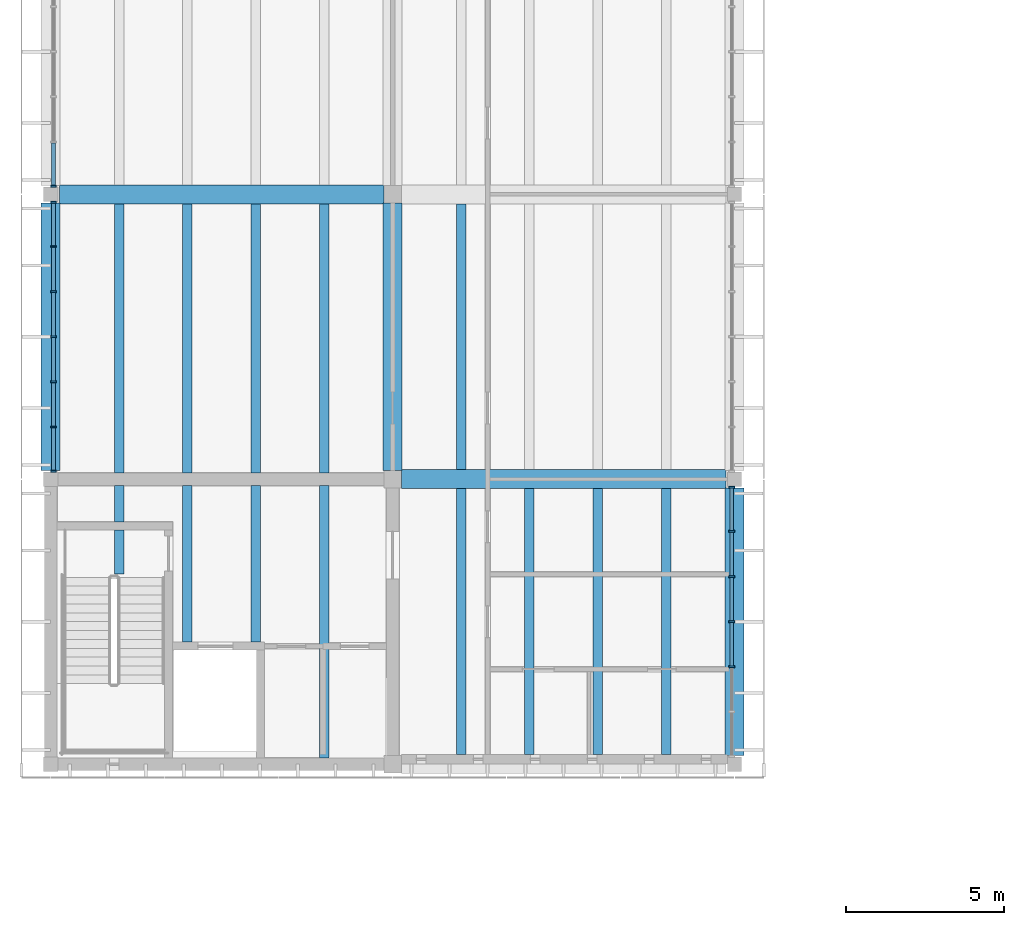
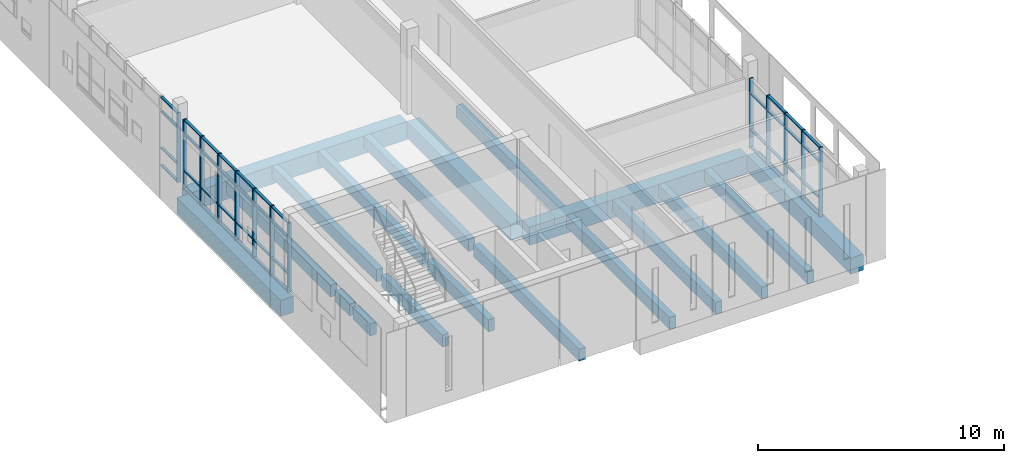
# One storey, part 9 of 50: 56 members, 19 beams, 3 elements without a shape of their own.
"""IFC4 building model written with IfcOpenShell, lengths in metres."""

from ifc_helpers import new_model, si_unit, direction, frame, origin, origin_2d, place, context, subcontext, project, spatial, rectangle, extrude, material, material_profile, profile_set, type_object, element, aggregate, save


model = new_model("IFC4")

# Units and contexts
model_context = context("Model", 3, precision=1e-05, world=origin(), true_north=direction((0.0, 1.0)))
body_context = subcontext(model_context, "Body", "Model", "MODEL_VIEW")
ifc_project = project(units=[si_unit("LENGTHUNIT", "METRE"), si_unit("AREAUNIT", "SQUARE_METRE"), si_unit("VOLUMEUNIT", "CUBIC_METRE"), si_unit("PLANEANGLEUNIT", "RADIAN"), si_unit("MASSUNIT", "GRAM", prefix="KILO")], contexts=[model_context])

# Site, building, storey
site_placement = place(None, origin())
site = spatial("IfcSite", under=ifc_project, at=site_placement, CompositionType="ELEMENT")
building_placement = place(site_placement, origin())
building = spatial("IfcBuilding", under=site, at=building_placement, Name="Merrow Basin Faculty of Sciences", CompositionType="ELEMENT")
storey_placement = place(building_placement, frame((0.0, 0.0, 18.0)))
storey = spatial("IfcBuildingStorey", under=building, at=storey_placement, Name="L04", CompositionType="ELEMENT", Elevation=18.0)

# Curtain wall, members
ifc_material_1 = material(Name="Aluminium alloy 6063", Category="aluminium")
curtain_wall_type = type_object("IfcCurtainWallType", Name="Bar unitised curtain wall 180", PredefinedType="NOTDEFINED", material=ifc_material_1)
curtain_wall_1_placement = place(storey_placement, origin())
curtain_wall_1 = element("IfcCurtainWall", 1, at=curtain_wall_1_placement, inside=storey, type_object=curtain_wall_type, Name="West curtain wall L04 1", PredefinedType="NOTDEFINED")
ifc_material_2 = material(Name="Aluminium alloy 6063", Category="aluminium")
ifc_material_profile_1 = material_profile(ifc_material_2, rectangle(XDim=0.179931640625, YDim=0.06005859375, at=origin_2d()))
ifc_profile_set_1 = profile_set([ifc_material_profile_1], Name="Aluminium alloy 6063")
member_type_1 = type_object("IfcMemberType", Name="Aluminium mullion 60x180", PredefinedType="MULLION", material=ifc_profile_set_1)
member_1_placement = place(storey_placement, frame((0.090087890625, 70.2548828125, 0.0), z_axis=(0.0, 0.0, 1.0), x_axis=(-1.0, 0.0, 0.0)))
member_1 = element("IfcMember", 2, at=member_1_placement, type_object=member_type_1, Name="CW1 mullion 1", PredefinedType="MULLION", context=body_context, shape_type="SweptSolid", body=[
    extrude(rectangle(XDim=0.179931640625, YDim=0.06005859375, at=origin_2d()), origin(), (0.0, 0.0, 1.0), 3.449951171875),
])
member_2_placement = place(storey_placement, frame((0.090087890625, 71.64990234375, 0.0), z_axis=(0.0, 0.0, 1.0), x_axis=(-1.0, 0.0, 0.0)))
member_2 = element("IfcMember", 3, at=member_2_placement, type_object=member_type_1, Name="CW1 mullion 2", PredefinedType="MULLION", context=body_context, shape_type="SweptSolid", body=[
    extrude(rectangle(XDim=0.179931640625, YDim=0.06005859375, at=origin_2d()), origin(), (0.0, 0.0, 1.0), 3.449951171875),
])
member_3_placement = place(storey_placement, frame((0.090087890625, 73.074951171875, 0.0), z_axis=(0.0, 0.0, 1.0), x_axis=(-1.0, 0.0, 0.0)))
member_3 = element("IfcMember", 4, at=member_3_placement, type_object=member_type_1, Name="CW1 mullion 3", PredefinedType="MULLION", context=body_context, shape_type="SweptSolid", body=[
    extrude(rectangle(XDim=0.179931640625, YDim=0.06005859375, at=origin_2d()), origin(), (0.0, 0.0, 1.0), 3.449951171875),
])
member_4_placement = place(storey_placement, frame((0.090087890625, 74.5, 0.0), z_axis=(0.0, 0.0, 1.0), x_axis=(-1.0, 0.0, 0.0)))
member_4 = element("IfcMember", 5, at=member_4_placement, type_object=member_type_1, Name="CW1 mullion 4", PredefinedType="MULLION", context=body_context, shape_type="SweptSolid", body=[
    extrude(rectangle(XDim=0.179931640625, YDim=0.06005859375, at=origin_2d()), origin(), (0.0, 0.0, 1.0), 3.449951171875),
])
member_5_placement = place(storey_placement, frame((0.090087890625, 75.925048828125, 0.0), z_axis=(0.0, 0.0, 1.0), x_axis=(-1.0, 0.0, 0.0)))
member_5 = element("IfcMember", 6, at=member_5_placement, type_object=member_type_1, Name="CW1 mullion 5", PredefinedType="MULLION", context=body_context, shape_type="SweptSolid", body=[
    extrude(rectangle(XDim=0.179931640625, YDim=0.06005859375, at=origin_2d()), origin(), (0.0, 0.0, 1.0), 3.449951171875),
])
member_6_placement = place(storey_placement, frame((0.090087890625, 77.35009765625, 0.0), z_axis=(0.0, 0.0, 1.0), x_axis=(-1.0, 0.0, 0.0)))
member_6 = element("IfcMember", 7, at=member_6_placement, type_object=member_type_1, Name="CW1 mullion 6", PredefinedType="MULLION", context=body_context, shape_type="SweptSolid", body=[
    extrude(rectangle(XDim=0.179931640625, YDim=0.06005859375, at=origin_2d()), origin(), (0.0, 0.0, 1.0), 3.449951171875),
])
member_7_placement = place(storey_placement, frame((0.090087890625, 78.7451171875, 0.0), z_axis=(0.0, 0.0, 1.0), x_axis=(-1.0, 0.0, 0.0)))
member_7 = element("IfcMember", 8, at=member_7_placement, type_object=member_type_1, Name="CW1 mullion 7", PredefinedType="MULLION", context=body_context, shape_type="SweptSolid", body=[
    extrude(rectangle(XDim=0.179931640625, YDim=0.06005859375, at=origin_2d()), origin(), (0.0, 0.0, 1.0), 3.449951171875),
])

# Curtain wall, member
curtain_wall_2_placement = place(storey_placement, origin())
curtain_wall_2 = element("IfcCurtainWall", 9, at=curtain_wall_2_placement, inside=storey, type_object=curtain_wall_type, Name="West curtain wall L04 2", PredefinedType="NOTDEFINED")
member_8_placement = place(storey_placement, frame((0.090087890625, 79.2548828125, 0.0), z_axis=(0.0, 0.0, 1.0), x_axis=(-1.0, 0.0, 0.0)))
member_8 = element("IfcMember", 10, at=member_8_placement, type_object=member_type_1, Name="CW1 mullion 1", PredefinedType="MULLION", context=body_context, shape_type="SweptSolid", body=[
    extrude(rectangle(XDim=0.179931640625, YDim=0.06005859375, at=origin_2d()), origin(), (0.0, 0.0, 1.0), 3.449951171875),
])

# Curtain wall, members
curtain_wall_3_placement = place(storey_placement, origin())
curtain_wall_3 = element("IfcCurtainWall", 11, at=curtain_wall_3_placement, inside=storey, type_object=curtain_wall_type, Name="East curtain wall L04 1", PredefinedType="NOTDEFINED")
member_9_placement = place(storey_placement, frame((21.510009765625, 64.074951171875, 0.0), z_axis=(0.0, 0.0, 1.0), x_axis=(-1.0, 0.0, 0.0)))
member_9 = element("IfcMember", 12, at=member_9_placement, type_object=member_type_1, Name="CW1 mullion 3", PredefinedType="MULLION", context=body_context, shape_type="SweptSolid", body=[
    extrude(rectangle(XDim=0.179931640625, YDim=0.06005859375, at=origin_2d()), origin(), (0.0, 0.0, 1.0), 3.449951171875),
])
member_10_placement = place(storey_placement, frame((21.510009765625, 65.5, 0.0), z_axis=(0.0, 0.0, 1.0), x_axis=(-1.0, 0.0, 0.0)))
member_10 = element("IfcMember", 13, at=member_10_placement, type_object=member_type_1, Name="CW1 mullion 4", PredefinedType="MULLION", context=body_context, shape_type="SweptSolid", body=[
    extrude(rectangle(XDim=0.179931640625, YDim=0.06005859375, at=origin_2d()), origin(), (0.0, 0.0, 1.0), 3.449951171875),
])
member_11_placement = place(storey_placement, frame((21.510009765625, 66.925048828125, 0.0), z_axis=(0.0, 0.0, 1.0), x_axis=(-1.0, 0.0, 0.0)))
member_11 = element("IfcMember", 14, at=member_11_placement, type_object=member_type_1, Name="CW1 mullion 5", PredefinedType="MULLION", context=body_context, shape_type="SweptSolid", body=[
    extrude(rectangle(XDim=0.179931640625, YDim=0.06005859375, at=origin_2d()), origin(), (0.0, 0.0, 1.0), 3.449951171875),
])
member_12_placement = place(storey_placement, frame((21.510009765625, 68.35009765625, 0.0), z_axis=(0.0, 0.0, 1.0), x_axis=(-1.0, 0.0, 0.0)))
member_12 = element("IfcMember", 15, at=member_12_placement, type_object=member_type_1, Name="CW1 mullion 6", PredefinedType="MULLION", context=body_context, shape_type="SweptSolid", body=[
    extrude(rectangle(XDim=0.179931640625, YDim=0.06005859375, at=origin_2d()), origin(), (0.0, 0.0, 1.0), 3.449951171875),
])
member_13_placement = place(storey_placement, frame((21.510009765625, 69.7451171875, 0.0), z_axis=(0.0, 0.0, 1.0), x_axis=(-1.0, 0.0, 0.0)))
member_13 = element("IfcMember", 16, at=member_13_placement, type_object=member_type_1, Name="CW1 mullion 7", PredefinedType="MULLION", context=body_context, shape_type="SweptSolid", body=[
    extrude(rectangle(XDim=0.179931640625, YDim=0.06005859375, at=origin_2d()), origin(), (0.0, 0.0, 1.0), 3.449951171875),
])

# Member
ifc_material_3 = material(Name="Aluminium alloy 6063", Category="aluminium")
ifc_material_profile_2 = material_profile(ifc_material_3, rectangle(XDim=0.1201171875, YDim=0.06005859375, at=origin_2d()))
ifc_profile_set_2 = profile_set([ifc_material_profile_2], Name="Aluminium alloy 6063")
member_type_2 = type_object("IfcMemberType", Name="Aluminium transom 60x120", PredefinedType="USERDEFINED", material=ifc_profile_set_2)
member_14_placement = place(storey_placement, frame((0.090087890625, 70.284912109375, 0.030029296875), z_axis=(0.0, 1.0, 0.0), x_axis=(-1.0, 0.0, 0.0)))
member_14 = element("IfcMember", 17, at=member_14_placement, type_object=member_type_2, Name="CW1 transom 1.1", ObjectType="TRANSOM", PredefinedType="USERDEFINED", context=body_context, shape_type="SweptSolid", body=[
    extrude(rectangle(XDim=0.1201171875, YDim=0.06005859375, at=origin_2d()), origin(), (0.0, 0.0, 1.0), 1.335205078125),
])

member_15_placement = place(storey_placement, frame((0.090087890625, 70.284912109375, 0.89990234375), z_axis=(0.0, 1.0, 0.0), x_axis=(-1.0, 0.0, 0.0)))
member_15 = element("IfcMember", 18, at=member_15_placement, type_object=member_type_2, Name="CW1 transom 1.2", ObjectType="TRANSOM", PredefinedType="USERDEFINED", context=body_context, shape_type="SweptSolid", body=[
    extrude(rectangle(XDim=0.1201171875, YDim=0.06005859375, at=origin_2d()), origin(), (0.0, 0.0, 1.0), 1.335205078125),
])

member_16_placement = place(storey_placement, frame((0.090087890625, 70.284912109375, 2.699951171875), z_axis=(0.0, 1.0, 0.0), x_axis=(-1.0, 0.0, 0.0)))
member_16 = element("IfcMember", 19, at=member_16_placement, type_object=member_type_2, Name="CW1 transom 1.3", ObjectType="TRANSOM", PredefinedType="USERDEFINED", context=body_context, shape_type="SweptSolid", body=[
    extrude(rectangle(XDim=0.1201171875, YDim=0.06005859375, at=origin_2d()), origin(), (0.0, 0.0, 1.0), 1.335205078125),
])

member_17_placement = place(storey_placement, frame((0.090087890625, 70.284912109375, 3.419921875), z_axis=(0.0, 1.0, 0.0), x_axis=(-1.0, 0.0, 0.0)))
member_17 = element("IfcMember", 20, at=member_17_placement, type_object=member_type_2, Name="CW1 transom 1.4", ObjectType="TRANSOM", PredefinedType="USERDEFINED", context=body_context, shape_type="SweptSolid", body=[
    extrude(rectangle(XDim=0.1201171875, YDim=0.06005859375, at=origin_2d()), origin(), (0.0, 0.0, 1.0), 1.335205078125),
])

member_18_placement = place(storey_placement, frame((0.090087890625, 71.679931640625, 0.030029296875), z_axis=(0.0, 1.0, 0.0), x_axis=(-1.0, 0.0, 0.0)))
member_18 = element("IfcMember", 21, at=member_18_placement, type_object=member_type_2, Name="CW1 transom 2.1", ObjectType="TRANSOM", PredefinedType="USERDEFINED", context=body_context, shape_type="SweptSolid", body=[
    extrude(rectangle(XDim=0.1201171875, YDim=0.06005859375, at=origin_2d()), origin(), (0.0, 0.0, 1.0), 1.364990234375),
])

member_19_placement = place(storey_placement, frame((0.090087890625, 71.679931640625, 0.89990234375), z_axis=(0.0, 1.0, 0.0), x_axis=(-1.0, 0.0, 0.0)))
member_19 = element("IfcMember", 22, at=member_19_placement, type_object=member_type_2, Name="CW1 transom 2.2", ObjectType="TRANSOM", PredefinedType="USERDEFINED", context=body_context, shape_type="SweptSolid", body=[
    extrude(rectangle(XDim=0.1201171875, YDim=0.06005859375, at=origin_2d()), origin(), (0.0, 0.0, 1.0), 1.364990234375),
])

member_20_placement = place(storey_placement, frame((0.090087890625, 71.679931640625, 2.699951171875), z_axis=(0.0, 1.0, 0.0), x_axis=(-1.0, 0.0, 0.0)))
member_20 = element("IfcMember", 23, at=member_20_placement, type_object=member_type_2, Name="CW1 transom 2.3", ObjectType="TRANSOM", PredefinedType="USERDEFINED", context=body_context, shape_type="SweptSolid", body=[
    extrude(rectangle(XDim=0.1201171875, YDim=0.06005859375, at=origin_2d()), origin(), (0.0, 0.0, 1.0), 1.364990234375),
])

member_21_placement = place(storey_placement, frame((0.090087890625, 71.679931640625, 3.419921875), z_axis=(0.0, 1.0, 0.0), x_axis=(-1.0, 0.0, 0.0)))
member_21 = element("IfcMember", 24, at=member_21_placement, type_object=member_type_2, Name="CW1 transom 2.4", ObjectType="TRANSOM", PredefinedType="USERDEFINED", context=body_context, shape_type="SweptSolid", body=[
    extrude(rectangle(XDim=0.1201171875, YDim=0.06005859375, at=origin_2d()), origin(), (0.0, 0.0, 1.0), 1.364990234375),
])

member_22_placement = place(storey_placement, frame((0.090087890625, 73.10498046875, 0.030029296875), z_axis=(0.0, 1.0, 0.0), x_axis=(-1.0, 0.0, 0.0)))
member_22 = element("IfcMember", 25, at=member_22_placement, type_object=member_type_2, Name="CW1 transom 3.1", ObjectType="TRANSOM", PredefinedType="USERDEFINED", context=body_context, shape_type="SweptSolid", body=[
    extrude(rectangle(XDim=0.1201171875, YDim=0.06005859375, at=origin_2d()), origin(), (0.0, 0.0, 1.0), 1.364990234375),
])

member_23_placement = place(storey_placement, frame((0.090087890625, 73.10498046875, 0.89990234375), z_axis=(0.0, 1.0, 0.0), x_axis=(-1.0, 0.0, 0.0)))
member_23 = element("IfcMember", 26, at=member_23_placement, type_object=member_type_2, Name="CW1 transom 3.2", ObjectType="TRANSOM", PredefinedType="USERDEFINED", context=body_context, shape_type="SweptSolid", body=[
    extrude(rectangle(XDim=0.1201171875, YDim=0.06005859375, at=origin_2d()), origin(), (0.0, 0.0, 1.0), 1.364990234375),
])

member_24_placement = place(storey_placement, frame((0.090087890625, 73.10498046875, 2.699951171875), z_axis=(0.0, 1.0, 0.0), x_axis=(-1.0, 0.0, 0.0)))
member_24 = element("IfcMember", 27, at=member_24_placement, type_object=member_type_2, Name="CW1 transom 3.3", ObjectType="TRANSOM", PredefinedType="USERDEFINED", context=body_context, shape_type="SweptSolid", body=[
    extrude(rectangle(XDim=0.1201171875, YDim=0.06005859375, at=origin_2d()), origin(), (0.0, 0.0, 1.0), 1.364990234375),
])

member_25_placement = place(storey_placement, frame((0.090087890625, 73.10498046875, 3.419921875), z_axis=(0.0, 1.0, 0.0), x_axis=(-1.0, 0.0, 0.0)))
member_25 = element("IfcMember", 28, at=member_25_placement, type_object=member_type_2, Name="CW1 transom 3.4", ObjectType="TRANSOM", PredefinedType="USERDEFINED", context=body_context, shape_type="SweptSolid", body=[
    extrude(rectangle(XDim=0.1201171875, YDim=0.06005859375, at=origin_2d()), origin(), (0.0, 0.0, 1.0), 1.364990234375),
])

member_26_placement = place(storey_placement, frame((0.090087890625, 74.530029296875, 0.030029296875), z_axis=(0.0, 1.0, 0.0), x_axis=(-1.0, 0.0, 0.0)))
member_26 = element("IfcMember", 29, at=member_26_placement, type_object=member_type_2, Name="CW1 transom 4.1", ObjectType="TRANSOM", PredefinedType="USERDEFINED", context=body_context, shape_type="SweptSolid", body=[
    extrude(rectangle(XDim=0.1201171875, YDim=0.06005859375, at=origin_2d()), origin(), (0.0, 0.0, 1.0), 1.364990234375),
])

member_27_placement = place(storey_placement, frame((0.090087890625, 74.530029296875, 0.89990234375), z_axis=(0.0, 1.0, 0.0), x_axis=(-1.0, 0.0, 0.0)))
member_27 = element("IfcMember", 30, at=member_27_placement, type_object=member_type_2, Name="CW1 transom 4.2", ObjectType="TRANSOM", PredefinedType="USERDEFINED", context=body_context, shape_type="SweptSolid", body=[
    extrude(rectangle(XDim=0.1201171875, YDim=0.06005859375, at=origin_2d()), origin(), (0.0, 0.0, 1.0), 1.364990234375),
])

member_28_placement = place(storey_placement, frame((0.090087890625, 74.530029296875, 2.699951171875), z_axis=(0.0, 1.0, 0.0), x_axis=(-1.0, 0.0, 0.0)))
member_28 = element("IfcMember", 31, at=member_28_placement, type_object=member_type_2, Name="CW1 transom 4.3", ObjectType="TRANSOM", PredefinedType="USERDEFINED", context=body_context, shape_type="SweptSolid", body=[
    extrude(rectangle(XDim=0.1201171875, YDim=0.06005859375, at=origin_2d()), origin(), (0.0, 0.0, 1.0), 1.364990234375),
])

member_29_placement = place(storey_placement, frame((0.090087890625, 74.530029296875, 3.419921875), z_axis=(0.0, 1.0, 0.0), x_axis=(-1.0, 0.0, 0.0)))
member_29 = element("IfcMember", 32, at=member_29_placement, type_object=member_type_2, Name="CW1 transom 4.4", ObjectType="TRANSOM", PredefinedType="USERDEFINED", context=body_context, shape_type="SweptSolid", body=[
    extrude(rectangle(XDim=0.1201171875, YDim=0.06005859375, at=origin_2d()), origin(), (0.0, 0.0, 1.0), 1.364990234375),
])

member_30_placement = place(storey_placement, frame((0.090087890625, 75.955078125, 0.030029296875), z_axis=(0.0, 1.0, 0.0), x_axis=(-1.0, 0.0, 0.0)))
member_30 = element("IfcMember", 33, at=member_30_placement, type_object=member_type_2, Name="CW1 transom 5.1", ObjectType="TRANSOM", PredefinedType="USERDEFINED", context=body_context, shape_type="SweptSolid", body=[
    extrude(rectangle(XDim=0.1201171875, YDim=0.06005859375, at=origin_2d()), origin(), (0.0, 0.0, 1.0), 1.364990234375),
])

member_31_placement = place(storey_placement, frame((0.090087890625, 75.955078125, 0.89990234375), z_axis=(0.0, 1.0, 0.0), x_axis=(-1.0, 0.0, 0.0)))
member_31 = element("IfcMember", 34, at=member_31_placement, type_object=member_type_2, Name="CW1 transom 5.2", ObjectType="TRANSOM", PredefinedType="USERDEFINED", context=body_context, shape_type="SweptSolid", body=[
    extrude(rectangle(XDim=0.1201171875, YDim=0.06005859375, at=origin_2d()), origin(), (0.0, 0.0, 1.0), 1.364990234375),
])

member_32_placement = place(storey_placement, frame((0.090087890625, 75.955078125, 2.699951171875), z_axis=(0.0, 1.0, 0.0), x_axis=(-1.0, 0.0, 0.0)))
member_32 = element("IfcMember", 35, at=member_32_placement, type_object=member_type_2, Name="CW1 transom 5.3", ObjectType="TRANSOM", PredefinedType="USERDEFINED", context=body_context, shape_type="SweptSolid", body=[
    extrude(rectangle(XDim=0.1201171875, YDim=0.06005859375, at=origin_2d()), origin(), (0.0, 0.0, 1.0), 1.364990234375),
])

member_33_placement = place(storey_placement, frame((0.090087890625, 75.955078125, 3.419921875), z_axis=(0.0, 1.0, 0.0), x_axis=(-1.0, 0.0, 0.0)))
member_33 = element("IfcMember", 36, at=member_33_placement, type_object=member_type_2, Name="CW1 transom 5.4", ObjectType="TRANSOM", PredefinedType="USERDEFINED", context=body_context, shape_type="SweptSolid", body=[
    extrude(rectangle(XDim=0.1201171875, YDim=0.06005859375, at=origin_2d()), origin(), (0.0, 0.0, 1.0), 1.364990234375),
])

member_34_placement = place(storey_placement, frame((0.090087890625, 77.3798828125, 0.030029296875), z_axis=(0.0, 1.0, 0.0), x_axis=(-1.0, 0.0, 0.0)))
member_34 = element("IfcMember", 37, at=member_34_placement, type_object=member_type_2, Name="CW1 transom 6.1", ObjectType="TRANSOM", PredefinedType="USERDEFINED", context=body_context, shape_type="SweptSolid", body=[
    extrude(rectangle(XDim=0.1201171875, YDim=0.06005859375, at=origin_2d()), origin(), (0.0, 0.0, 1.0), 1.335205078125),
])

member_35_placement = place(storey_placement, frame((0.090087890625, 77.3798828125, 0.89990234375), z_axis=(0.0, 1.0, 0.0), x_axis=(-1.0, 0.0, 0.0)))
member_35 = element("IfcMember", 38, at=member_35_placement, type_object=member_type_2, Name="CW1 transom 6.2", ObjectType="TRANSOM", PredefinedType="USERDEFINED", context=body_context, shape_type="SweptSolid", body=[
    extrude(rectangle(XDim=0.1201171875, YDim=0.06005859375, at=origin_2d()), origin(), (0.0, 0.0, 1.0), 1.335205078125),
])

member_36_placement = place(storey_placement, frame((0.090087890625, 77.3798828125, 2.699951171875), z_axis=(0.0, 1.0, 0.0), x_axis=(-1.0, 0.0, 0.0)))
member_36 = element("IfcMember", 39, at=member_36_placement, type_object=member_type_2, Name="CW1 transom 6.3", ObjectType="TRANSOM", PredefinedType="USERDEFINED", context=body_context, shape_type="SweptSolid", body=[
    extrude(rectangle(XDim=0.1201171875, YDim=0.06005859375, at=origin_2d()), origin(), (0.0, 0.0, 1.0), 1.335205078125),
])

member_37_placement = place(storey_placement, frame((0.090087890625, 77.3798828125, 3.419921875), z_axis=(0.0, 1.0, 0.0), x_axis=(-1.0, 0.0, 0.0)))
member_37 = element("IfcMember", 40, at=member_37_placement, type_object=member_type_2, Name="CW1 transom 6.4", ObjectType="TRANSOM", PredefinedType="USERDEFINED", context=body_context, shape_type="SweptSolid", body=[
    extrude(rectangle(XDim=0.1201171875, YDim=0.06005859375, at=origin_2d()), origin(), (0.0, 0.0, 1.0), 1.335205078125),
])

aggregate(curtain_wall_1, [member_1, member_2, member_3, member_4, member_5, member_6, member_7, member_14, member_15, member_16, member_17, member_18, member_19, member_20, member_21, member_22, member_23, member_24, member_25, member_26, member_27, member_28, member_29, member_30, member_31, member_32, member_33, member_34, member_35, member_36, member_37])

member_38_placement = place(storey_placement, frame((0.090087890625, 79.284912109375, 0.030029296875), z_axis=(0.0, 1.0, 0.0), x_axis=(-1.0, 0.0, 0.0)))
member_38 = element("IfcMember", 41, at=member_38_placement, type_object=member_type_2, Name="CW1 transom 1.1", ObjectType="TRANSOM", PredefinedType="USERDEFINED", context=body_context, shape_type="SweptSolid", body=[
    extrude(rectangle(XDim=0.1201171875, YDim=0.06005859375, at=origin_2d()), origin(), (0.0, 0.0, 1.0), 1.335205078125),
])

member_39_placement = place(storey_placement, frame((0.090087890625, 79.284912109375, 0.89990234375), z_axis=(0.0, 1.0, 0.0), x_axis=(-1.0, 0.0, 0.0)))
member_39 = element("IfcMember", 42, at=member_39_placement, type_object=member_type_2, Name="CW1 transom 1.2", ObjectType="TRANSOM", PredefinedType="USERDEFINED", context=body_context, shape_type="SweptSolid", body=[
    extrude(rectangle(XDim=0.1201171875, YDim=0.06005859375, at=origin_2d()), origin(), (0.0, 0.0, 1.0), 1.335205078125),
])

member_40_placement = place(storey_placement, frame((0.090087890625, 79.284912109375, 2.699951171875), z_axis=(0.0, 1.0, 0.0), x_axis=(-1.0, 0.0, 0.0)))
member_40 = element("IfcMember", 43, at=member_40_placement, type_object=member_type_2, Name="CW1 transom 1.3", ObjectType="TRANSOM", PredefinedType="USERDEFINED", context=body_context, shape_type="SweptSolid", body=[
    extrude(rectangle(XDim=0.1201171875, YDim=0.06005859375, at=origin_2d()), origin(), (0.0, 0.0, 1.0), 1.335205078125),
])

member_41_placement = place(storey_placement, frame((0.090087890625, 79.284912109375, 3.419921875), z_axis=(0.0, 1.0, 0.0), x_axis=(-1.0, 0.0, 0.0)))
member_41 = element("IfcMember", 44, at=member_41_placement, type_object=member_type_2, Name="CW1 transom 1.4", ObjectType="TRANSOM", PredefinedType="USERDEFINED", context=body_context, shape_type="SweptSolid", body=[
    extrude(rectangle(XDim=0.1201171875, YDim=0.06005859375, at=origin_2d()), origin(), (0.0, 0.0, 1.0), 1.335205078125),
])

aggregate(curtain_wall_2, [member_8, member_38, member_39, member_40, member_41])

member_42_placement = place(storey_placement, frame((21.510009765625, 64.10498046875, 0.030029296875), z_axis=(0.0, 1.0, 0.0), x_axis=(-1.0, 0.0, 0.0)))
member_42 = element("IfcMember", 45, at=member_42_placement, type_object=member_type_2, Name="CW1 transom 3.1", ObjectType="TRANSOM", PredefinedType="USERDEFINED", context=body_context, shape_type="SweptSolid", body=[
    extrude(rectangle(XDim=0.1201171875, YDim=0.06005859375, at=origin_2d()), origin(), (0.0, 0.0, 1.0), 1.364990234375),
])

member_43_placement = place(storey_placement, frame((21.510009765625, 64.10498046875, 0.89990234375), z_axis=(0.0, 1.0, 0.0), x_axis=(-1.0, 0.0, 0.0)))
member_43 = element("IfcMember", 46, at=member_43_placement, type_object=member_type_2, Name="CW1 transom 3.2", ObjectType="TRANSOM", PredefinedType="USERDEFINED", context=body_context, shape_type="SweptSolid", body=[
    extrude(rectangle(XDim=0.1201171875, YDim=0.06005859375, at=origin_2d()), origin(), (0.0, 0.0, 1.0), 1.364990234375),
])

member_44_placement = place(storey_placement, frame((21.510009765625, 64.10498046875, 2.699951171875), z_axis=(0.0, 1.0, 0.0), x_axis=(-1.0, 0.0, 0.0)))
member_44 = element("IfcMember", 47, at=member_44_placement, type_object=member_type_2, Name="CW1 transom 3.3", ObjectType="TRANSOM", PredefinedType="USERDEFINED", context=body_context, shape_type="SweptSolid", body=[
    extrude(rectangle(XDim=0.1201171875, YDim=0.06005859375, at=origin_2d()), origin(), (0.0, 0.0, 1.0), 1.364990234375),
])

member_45_placement = place(storey_placement, frame((21.510009765625, 64.10498046875, 3.419921875), z_axis=(0.0, 1.0, 0.0), x_axis=(-1.0, 0.0, 0.0)))
member_45 = element("IfcMember", 48, at=member_45_placement, type_object=member_type_2, Name="CW1 transom 3.4", ObjectType="TRANSOM", PredefinedType="USERDEFINED", context=body_context, shape_type="SweptSolid", body=[
    extrude(rectangle(XDim=0.1201171875, YDim=0.06005859375, at=origin_2d()), origin(), (0.0, 0.0, 1.0), 1.364990234375),
])

member_46_placement = place(storey_placement, frame((21.510009765625, 65.530029296875, 0.030029296875), z_axis=(0.0, 1.0, 0.0), x_axis=(-1.0, 0.0, 0.0)))
member_46 = element("IfcMember", 49, at=member_46_placement, type_object=member_type_2, Name="CW1 transom 4.1", ObjectType="TRANSOM", PredefinedType="USERDEFINED", context=body_context, shape_type="SweptSolid", body=[
    extrude(rectangle(XDim=0.1201171875, YDim=0.06005859375, at=origin_2d()), origin(), (0.0, 0.0, 1.0), 1.364990234375),
])

member_47_placement = place(storey_placement, frame((21.510009765625, 65.530029296875, 0.89990234375), z_axis=(0.0, 1.0, 0.0), x_axis=(-1.0, 0.0, 0.0)))
member_47 = element("IfcMember", 50, at=member_47_placement, type_object=member_type_2, Name="CW1 transom 4.2", ObjectType="TRANSOM", PredefinedType="USERDEFINED", context=body_context, shape_type="SweptSolid", body=[
    extrude(rectangle(XDim=0.1201171875, YDim=0.06005859375, at=origin_2d()), origin(), (0.0, 0.0, 1.0), 1.364990234375),
])

member_48_placement = place(storey_placement, frame((21.510009765625, 65.530029296875, 2.699951171875), z_axis=(0.0, 1.0, 0.0), x_axis=(-1.0, 0.0, 0.0)))
member_48 = element("IfcMember", 51, at=member_48_placement, type_object=member_type_2, Name="CW1 transom 4.3", ObjectType="TRANSOM", PredefinedType="USERDEFINED", context=body_context, shape_type="SweptSolid", body=[
    extrude(rectangle(XDim=0.1201171875, YDim=0.06005859375, at=origin_2d()), origin(), (0.0, 0.0, 1.0), 1.364990234375),
])

member_49_placement = place(storey_placement, frame((21.510009765625, 65.530029296875, 3.419921875), z_axis=(0.0, 1.0, 0.0), x_axis=(-1.0, 0.0, 0.0)))
member_49 = element("IfcMember", 52, at=member_49_placement, type_object=member_type_2, Name="CW1 transom 4.4", ObjectType="TRANSOM", PredefinedType="USERDEFINED", context=body_context, shape_type="SweptSolid", body=[
    extrude(rectangle(XDim=0.1201171875, YDim=0.06005859375, at=origin_2d()), origin(), (0.0, 0.0, 1.0), 1.364990234375),
])

member_50_placement = place(storey_placement, frame((21.510009765625, 66.955078125, 0.030029296875), z_axis=(0.0, 1.0, 0.0), x_axis=(-1.0, 0.0, 0.0)))
member_50 = element("IfcMember", 53, at=member_50_placement, type_object=member_type_2, Name="CW1 transom 5.1", ObjectType="TRANSOM", PredefinedType="USERDEFINED", context=body_context, shape_type="SweptSolid", body=[
    extrude(rectangle(XDim=0.1201171875, YDim=0.06005859375, at=origin_2d()), origin(), (0.0, 0.0, 1.0), 1.364990234375),
])

member_51_placement = place(storey_placement, frame((21.510009765625, 66.955078125, 0.89990234375), z_axis=(0.0, 1.0, 0.0), x_axis=(-1.0, 0.0, 0.0)))
member_51 = element("IfcMember", 54, at=member_51_placement, type_object=member_type_2, Name="CW1 transom 5.2", ObjectType="TRANSOM", PredefinedType="USERDEFINED", context=body_context, shape_type="SweptSolid", body=[
    extrude(rectangle(XDim=0.1201171875, YDim=0.06005859375, at=origin_2d()), origin(), (0.0, 0.0, 1.0), 1.364990234375),
])

member_52_placement = place(storey_placement, frame((21.510009765625, 66.955078125, 2.699951171875), z_axis=(0.0, 1.0, 0.0), x_axis=(-1.0, 0.0, 0.0)))
member_52 = element("IfcMember", 55, at=member_52_placement, type_object=member_type_2, Name="CW1 transom 5.3", ObjectType="TRANSOM", PredefinedType="USERDEFINED", context=body_context, shape_type="SweptSolid", body=[
    extrude(rectangle(XDim=0.1201171875, YDim=0.06005859375, at=origin_2d()), origin(), (0.0, 0.0, 1.0), 1.364990234375),
])

member_53_placement = place(storey_placement, frame((21.510009765625, 66.955078125, 3.419921875), z_axis=(0.0, 1.0, 0.0), x_axis=(-1.0, 0.0, 0.0)))
member_53 = element("IfcMember", 56, at=member_53_placement, type_object=member_type_2, Name="CW1 transom 5.4", ObjectType="TRANSOM", PredefinedType="USERDEFINED", context=body_context, shape_type="SweptSolid", body=[
    extrude(rectangle(XDim=0.1201171875, YDim=0.06005859375, at=origin_2d()), origin(), (0.0, 0.0, 1.0), 1.364990234375),
])

member_54_placement = place(storey_placement, frame((21.510009765625, 68.3798828125, 0.030029296875), z_axis=(0.0, 1.0, 0.0), x_axis=(-1.0, 0.0, 0.0)))
member_54 = element("IfcMember", 57, at=member_54_placement, type_object=member_type_2, Name="CW1 transom 6.1", ObjectType="TRANSOM", PredefinedType="USERDEFINED", context=body_context, shape_type="SweptSolid", body=[
    extrude(rectangle(XDim=0.1201171875, YDim=0.06005859375, at=origin_2d()), origin(), (0.0, 0.0, 1.0), 1.335205078125),
])

member_55_placement = place(storey_placement, frame((21.510009765625, 68.3798828125, 0.89990234375), z_axis=(0.0, 1.0, 0.0), x_axis=(-1.0, 0.0, 0.0)))
member_55 = element("IfcMember", 58, at=member_55_placement, type_object=member_type_2, Name="CW1 transom 6.2", ObjectType="TRANSOM", PredefinedType="USERDEFINED", context=body_context, shape_type="SweptSolid", body=[
    extrude(rectangle(XDim=0.1201171875, YDim=0.06005859375, at=origin_2d()), origin(), (0.0, 0.0, 1.0), 1.335205078125),
])

member_56_placement = place(storey_placement, frame((21.510009765625, 68.3798828125, 2.699951171875), z_axis=(0.0, 1.0, 0.0), x_axis=(-1.0, 0.0, 0.0)))
member_56 = element("IfcMember", 59, at=member_56_placement, type_object=member_type_2, Name="CW1 transom 6.3", ObjectType="TRANSOM", PredefinedType="USERDEFINED", context=body_context, shape_type="SweptSolid", body=[
    extrude(rectangle(XDim=0.1201171875, YDim=0.06005859375, at=origin_2d()), origin(), (0.0, 0.0, 1.0), 1.335205078125),
])

aggregate(curtain_wall_3, [member_9, member_10, member_11, member_12, member_13, member_42, member_43, member_44, member_45, member_46, member_47, member_48, member_49, member_50, member_51, member_52, member_53, member_54, member_55, member_56])

# Beams
ifc_material_4 = material(Name="Concrete C40/50", Category="concrete")
ifc_material_profile_3 = material_profile(ifc_material_4, rectangle(XDim=0.60009765625, YDim=0.800048828125, at=origin_2d()))
ifc_profile_set_3 = profile_set([ifc_material_profile_3], Name="Concrete C40/50")
beam_type_1 = type_object("IfcBeamType", Name="Beam RC600x800 C40/50", PredefinedType="BEAM", material=ifc_profile_set_3)
for number, where, z_axis, x_axis, name in (
    (60, (0.0, 70.27490234375, -0.699951171875), (0.0, 1.0, 0.0), (-1.0, 0.0, 0.0), "B2 L04 015"),
    (61, (10.800048828125, 70.27490234375, -0.699951171875), (0.0, 1.0, 0.0), (-1.0, 0.0, 0.0), "B2 L04 022"),
    (62, (21.60009765625, 61.27490234375, -0.699951171875), (0.0, 1.0, 0.0), (-1.0, 0.0, 0.0), "B2 L04 028"),
):
    element("IfcBeam", number, at=place(storey_placement, frame(where, z_axis=z_axis, x_axis=x_axis)), inside=storey, type_object=beam_type_1, Name=name, PredefinedType="BEAM", context=body_context, shape_type="SweptSolid", body=[
        extrude(rectangle(XDim=0.60009765625, YDim=0.800048828125, at=origin_2d()), origin(), (0.0, 0.0, 1.0), 8.4501953125),
    ])
ifc_material_5 = material(Name="Concrete C40/50", Category="concrete")
ifc_material_profile_4 = material_profile(ifc_material_5, rectangle(XDim=0.60009765625, YDim=0.89990234375, at=origin_2d()))
ifc_profile_set_4 = profile_set([ifc_material_profile_4], Name="Concrete C40/50")
beam_type_2 = type_object("IfcBeamType", Name="Beam RC600x900 C40/50", PredefinedType="BEAM", material=ifc_profile_set_4)
for number, where, z_axis, x_axis, name in (
    (63, (11.074951171875, 70.0, -0.75), (1.0, 0.0, 0.0), (0.0, 1.0, 0.0), "B1 L04 002"),
    (64, (0.27490234375, 79.0, -0.75), (1.0, 0.0, 0.0), (0.0, 1.0, 0.0), "B1 L04 003"),
):
    element("IfcBeam", number, at=place(storey_placement, frame(where, z_axis=z_axis, x_axis=x_axis)), inside=storey, type_object=beam_type_2, Name=name, PredefinedType="BEAM", context=body_context, shape_type="SweptSolid", body=[
        extrude(rectangle(XDim=0.60009765625, YDim=0.89990234375, at=origin_2d()), origin(), (0.0, 0.0, 1.0), 10.25),
    ])
ifc_material_6 = material(Name="Concrete C40/50", Category="concrete")
ifc_material_profile_5 = material_profile(ifc_material_6, rectangle(XDim=0.300048828125, YDim=0.60009765625, at=origin_2d()))
ifc_profile_set_5 = profile_set([ifc_material_profile_5], Name="Concrete C40/50")
beam_type_3 = type_object("IfcBeamType", Name="Laboratory floor joist RC300x600 C40/50", PredefinedType="BEAM", material=ifc_profile_set_5)
beam_1_placement = place(storey_placement, frame((2.159912109375, 67.0, -0.60009765625), z_axis=(0.0, 1.0, 0.0), x_axis=(-1.0, 0.0, 0.0)))
element("IfcBeam", 65, at=beam_1_placement, inside=storey, type_object=beam_type_3, Name="JL1 L04 034", PredefinedType="BEAM", context=body_context, shape_type="SweptSolid", body=[
    extrude(rectangle(XDim=0.300048828125, YDim=0.60009765625, at=origin_2d()), origin(), (0.0, 0.0, 1.0), 1.39990234375),
])
beam_2_placement = place(storey_placement, frame((2.159912109375, 68.64990234375, -0.60009765625), z_axis=(0.0, 1.0, 0.0), x_axis=(-1.0, 0.0, 0.0)))
element("IfcBeam", 66, at=beam_2_placement, inside=storey, type_object=beam_type_3, Name="JL1 L04 035", PredefinedType="BEAM", context=body_context, shape_type="SweptSolid", body=[
    extrude(rectangle(XDim=0.300048828125, YDim=0.60009765625, at=origin_2d()), origin(), (0.0, 0.0, 1.0), 1.150146484375),
])
for number, where, z_axis, x_axis, name in (
    (67, (4.320068359375, 64.85009765625, -0.60009765625), (0.0, 1.0, 0.0), (-1.0, 0.0, 0.0), "JL1 L04 036"),
    (68, (6.47998046875, 64.85009765625, -0.60009765625), (0.0, 1.0, 0.0), (-1.0, 0.0, 0.0), "JL1 L04 037"),
):
    element("IfcBeam", number, at=place(storey_placement, frame(where, z_axis=z_axis, x_axis=x_axis)), inside=storey, type_object=beam_type_3, Name=name, PredefinedType="BEAM", context=body_context, shape_type="SweptSolid", body=[
        extrude(rectangle(XDim=0.300048828125, YDim=0.60009765625, at=origin_2d()), origin(), (0.0, 0.0, 1.0), 4.949951171875),
    ])
beam_3_placement = place(storey_placement, frame((8.639892578125, 61.199951171875, -0.60009765625), z_axis=(0.0, 1.0, 0.0), x_axis=(-1.0, 0.0, 0.0)))
element("IfcBeam", 69, at=beam_3_placement, inside=storey, type_object=beam_type_3, Name="JL1 L04 038", PredefinedType="BEAM", context=body_context, shape_type="SweptSolid", body=[
    extrude(rectangle(XDim=0.300048828125, YDim=0.60009765625, at=origin_2d()), origin(), (0.0, 0.0, 1.0), 8.60009765625),
])
for number, where, z_axis, x_axis, name in (
    (70, (2.159912109375, 70.199951171875, -0.60009765625), (0.0, 1.0, 0.0), (-1.0, 0.0, 0.0), "JL1 L04 039"),
    (71, (4.320068359375, 70.199951171875, -0.60009765625), (0.0, 1.0, 0.0), (-1.0, 0.0, 0.0), "JL1 L04 040"),
    (72, (6.47998046875, 70.199951171875, -0.60009765625), (0.0, 1.0, 0.0), (-1.0, 0.0, 0.0), "JL1 L04 041"),
    (73, (8.639892578125, 70.199951171875, -0.60009765625), (0.0, 1.0, 0.0), (-1.0, 0.0, 0.0), "JL1 L04 042"),
):
    element("IfcBeam", number, at=place(storey_placement, frame(where, z_axis=z_axis, x_axis=x_axis)), inside=storey, type_object=beam_type_3, Name=name, PredefinedType="BEAM", context=body_context, shape_type="SweptSolid", body=[
        extrude(rectangle(XDim=0.300048828125, YDim=0.60009765625, at=origin_2d()), origin(), (0.0, 0.0, 1.0), 8.5),
    ])
for number, where, z_axis, x_axis, name in (
    (74, (12.9599609375, 61.300048828125, -0.60009765625), (0.0, 1.0, 0.0), (-1.0, 0.0, 0.0), "JL1 L04 067"),
    (75, (15.1201171875, 61.300048828125, -0.60009765625), (0.0, 1.0, 0.0), (-1.0, 0.0, 0.0), "JL1 L04 068"),
    (76, (17.280029296875, 61.300048828125, -0.60009765625), (0.0, 1.0, 0.0), (-1.0, 0.0, 0.0), "JL1 L04 069"),
    (77, (19.43994140625, 61.300048828125, -0.60009765625), (0.0, 1.0, 0.0), (-1.0, 0.0, 0.0), "JL1 L04 070"),
    (78, (12.9599609375, 70.300048828125, -0.60009765625), (0.0, 1.0, 0.0), (-1.0, 0.0, 0.0), "JL1 L04 071"),
):
    element("IfcBeam", number, at=place(storey_placement, frame(where, z_axis=z_axis, x_axis=x_axis)), inside=storey, type_object=beam_type_3, Name=name, PredefinedType="BEAM", context=body_context, shape_type="SweptSolid", body=[
        extrude(rectangle(XDim=0.300048828125, YDim=0.60009765625, at=origin_2d()), origin(), (0.0, 0.0, 1.0), 8.39990234375),
    ])

save(model, "model.ifc")
